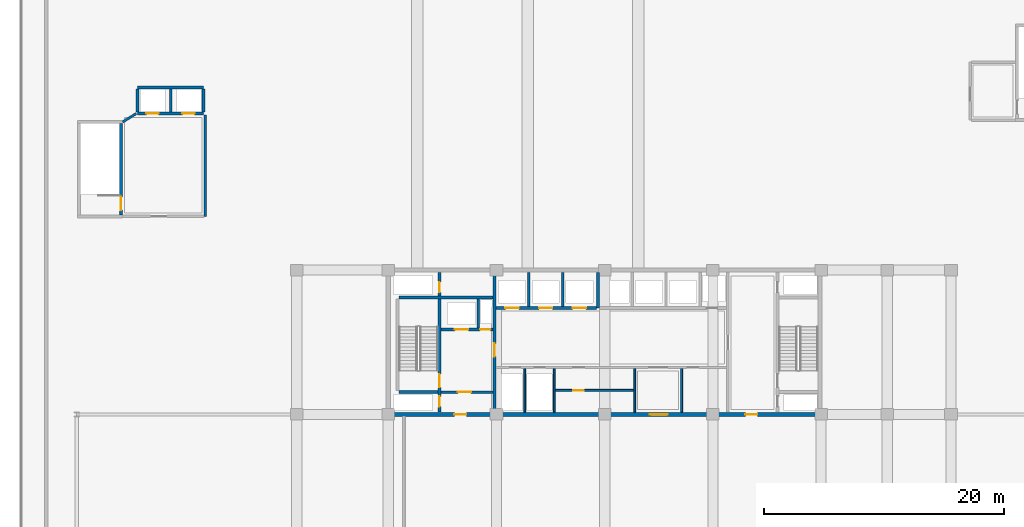
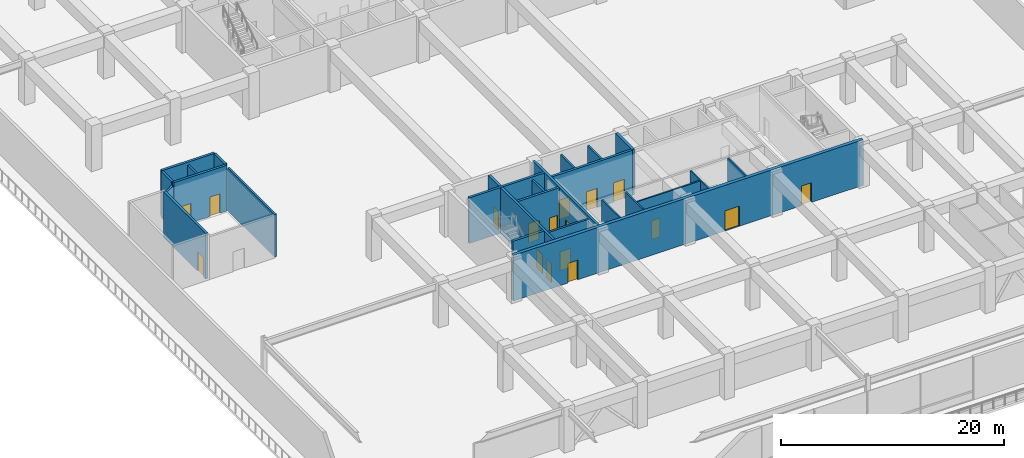
# One storey, part 24 of 38: 25 walls, 17 doors, 17 openings.
"""IFC4 building model written with IfcOpenShell, lengths in metres."""

from ifc_helpers import new_model, si_unit, direction, frame, frame_2d, origin, place, context, subcontext, project, spatial, rectangle, extrude, material, layer, layer_set, type_object, element, fill, save


model = new_model("IFC4")

# Units and contexts
model_context = context("Model", 3, precision=1e-05, world=origin(), true_north=direction((0.0, 1.0)))
body_context = subcontext(model_context, "Body", "Model", "MODEL_VIEW")
ifc_project = project(units=[si_unit("LENGTHUNIT", "METRE"), si_unit("AREAUNIT", "SQUARE_METRE"), si_unit("VOLUMEUNIT", "CUBIC_METRE"), si_unit("PLANEANGLEUNIT", "RADIAN"), si_unit("MASSUNIT", "GRAM", prefix="KILO")], contexts=[model_context])

# Site, building, storey
site_placement = place(None, origin())
site = spatial("IfcSite", under=ifc_project, at=site_placement, CompositionType="ELEMENT")
building_placement = place(site_placement, origin())
building = spatial("IfcBuilding", under=site, at=building_placement, Name="Korimba Cascade Residences", CompositionType="ELEMENT")
storey_placement = place(building_placement, frame((0.0, 0.0, 19.0)))
storey = spatial("IfcBuildingStorey", under=building, at=storey_placement, Name="L04", CompositionType="ELEMENT", Elevation=19.0)

# Wall, openings, doors
ifc_material_1 = material(Name="Concrete C65/80", Category="concrete")
ifc_layer_1 = layer(ifc_material_1, 0.35009765625)
ifc_layer_set_1 = layer_set([ifc_layer_1], Name="Concrete C65/80")
wall_type_1 = type_object("IfcWallType", Name="WAL-CORE-350", PredefinedType="SHEAR", material=ifc_layer_set_1)
wall_1_placement = place(storey_placement, frame((81.925048828125, 18.39990234375, 0.0), z_axis=(0.0, 0.0, 1.0), x_axis=(1.0, 0.0, 0.0)))
wall_1 = element("IfcWall", 1, at=wall_1_placement, inside=storey, type_object=wall_type_1, Name="L04 Core Shear Wall CW-L04-T2-S", PredefinedType="SHEAR", context=body_context, shape_type="SweptSolid", body=[
    extrude(rectangle(XDim=36.264892578125, YDim=0.35009765625, at=frame_2d((18.13232421875, 0.0))), origin(), (0.0, 0.0, 1.0), 5.0),
])
opening_1_placement = place(wall_1_placement, frame((5.675048828125, 0.0, 0.0)))
opening_1 = element("IfcOpeningElement", 2, at=opening_1_placement, cuts=wall_1, Name="Opening D-FD5", PredefinedType="OPENING", context=body_context, shape_type="SweptSolid", body=[
    extrude(rectangle(XDim=1.0, YDim=2.14990234375, at=frame_2d((0.5, 1.074951171875))), frame((0.0, 0.18505859375, 0.0), z_axis=(0.0, -1.0, 0.0), x_axis=(1.0, 0.0, 0.0)), (0.0, 0.0, 1.0), 0.3701171875),
])
opening_2_placement = place(wall_1_placement, frame((21.925048828125, 0.0, 0.0)))
opening_2 = element("IfcOpeningElement", 3, at=opening_2_placement, cuts=wall_1, Name="Opening D-FD8", PredefinedType="OPENING", context=body_context, shape_type="SweptSolid", body=[
    extrude(rectangle(XDim=1.5, YDim=2.199951171875, at=frame_2d((0.75, 1.10009765625))), frame((0.0, 0.18505859375, 0.0), z_axis=(0.0, -1.0, 0.0), x_axis=(1.0, 0.0, 0.0)), (0.0, 0.0, 1.0), 0.3701171875),
])
opening_3_placement = place(wall_1_placement, frame((29.875, 0.0, 0.0)))
opening_3 = element("IfcOpeningElement", 4, at=opening_3_placement, cuts=wall_1, Name="Opening D-FD5", PredefinedType="OPENING", context=body_context, shape_type="SweptSolid", body=[
    extrude(rectangle(XDim=1.0, YDim=2.14990234375, at=frame_2d((0.5, 1.074951171875))), frame((0.0, 0.18505859375, 0.0), z_axis=(0.0, -1.0, 0.0), x_axis=(1.0, 0.0, 0.0)), (0.0, 0.0, 1.0), 0.3701171875),
])
ifc_material_2 = material(Name="Fire-Rated Acoustic Timber Vestibule Door", Category="wood")
door_type_1 = type_object("IfcDoorType", Name="DR-FD90-1000", OperationType="NOTDEFINED", PredefinedType="DOOR", material=ifc_material_2)
door_1_placement = place(opening_1_placement, origin())
door_1 = element("IfcDoor", 5, at=door_1_placement, inside=storey, type_object=door_type_1, Name="L04 T2 West Core Vestibule Fire Door", OperationType="SINGLE_SWING_LEFT", OverallHeight=2.14990234375, OverallWidth=1.0, PredefinedType="DOOR", context=body_context, shape_type="SweptSolid", body=[
    extrude(rectangle(XDim=1.0, YDim=2.14990234375, at=frame_2d((0.5, 1.074951171875))), frame((0.0, 0.02490234375, 0.0), z_axis=(0.0, -1.0, 0.0), x_axis=(1.0, 0.0, 0.0)), (0.0, 0.0, 1.0), 0.050048828125),
])
fill(opening_1, door_1)
door_2_placement = place(opening_3_placement, origin())
door_2 = element("IfcDoor", 6, at=door_2_placement, inside=storey, type_object=door_type_1, Name="L04 T2 East Stair Vestibule Fire Door", OperationType="SINGLE_SWING_RIGHT", OverallHeight=2.14990234375, OverallWidth=1.0, PredefinedType="DOOR", context=body_context, shape_type="SweptSolid", body=[
    extrude(rectangle(XDim=1.0, YDim=2.14990234375, at=frame_2d((0.5, 1.074951171875))), frame((0.0, 0.02490234375, 0.0), z_axis=(0.0, -1.0, 0.0), x_axis=(1.0, 0.0, 0.0)), (0.0, 0.0, 1.0), 0.050048828125),
])
fill(opening_3, door_2)
ifc_material_3 = material(Name="Fire-Rated Glazed Lift Lobby Double Door", Category="glass")
door_type_2 = type_object("IfcDoorType", Name="DR-FD90-1500", OperationType="NOTDEFINED", PredefinedType="DOOR", material=ifc_material_3)
door_3_placement = place(opening_2_placement, origin())
door_3 = element("IfcDoor", 7, at=door_3_placement, inside=storey, type_object=door_type_2, Name="L04 T2 Lift Lobby Fire Door", OperationType="DOUBLE_DOOR_SINGLE_SWING", OverallHeight=2.199951171875, OverallWidth=1.5, PredefinedType="DOOR", context=body_context, shape_type="SweptSolid", body=[
    extrude(rectangle(XDim=1.5, YDim=2.199951171875, at=frame_2d((0.75, 1.10009765625))), frame((0.0, 0.02490234375, 0.0), z_axis=(0.0, -1.0, 0.0), x_axis=(1.0, 0.0, 0.0)), (0.0, 0.0, 1.0), 0.050048828125),
])
fill(opening_2, door_3)

# Walls
ifc_material_4 = material(Name="Insulated Acoustic Stud Partition", Category="gypsum")
ifc_layer_2 = layer(ifc_material_4, 0.14990234375)
ifc_layer_set_2 = layer_set([ifc_layer_2], Name="Insulated Acoustic Stud Partition")
wall_type_2 = type_object("IfcWallType", Name="WAL-PART-150", PredefinedType="PARTITIONING", material=ifc_layer_set_2)
for number, where, z_axis, x_axis, name in (
    (8, (93.449951171875, 18.60009765625, 0.0), (0.0, 0.0, 1.0), (0.0, 1.0, 0.0), "L04 Partition Wall CW-L04-T2-ERDIV"),
    (9, (95.89990234375, 18.60009765625, 0.0), (0.0, 0.0, 1.0), (0.0, 1.0, 0.0), "L04 Partition Wall CW-L04-T2-PRDIV"),
):
    element("IfcWall", number, at=place(storey_placement, frame(where, z_axis=z_axis, x_axis=x_axis)), inside=storey, type_object=wall_type_2, Name=name, PredefinedType="PARTITIONING", context=body_context, shape_type="SweptSolid", body=[
        extrude(rectangle(XDim=3.599853515625, YDim=0.14990234375, at=frame_2d((1.7998046875, 0.0))), origin(), (0.0, 0.0, 1.0), 4.679931640625),
    ])

# Wall, opening, door
wall_2_placement = place(storey_placement, frame((95.89990234375, 20.39990234375, 0.0), z_axis=(0.0, 0.0, 1.0), x_axis=(1.0, 0.0, 0.0)))
wall_2 = element("IfcWall", 10, at=wall_2_placement, inside=storey, type_object=wall_type_2, Name="L04 Partition Wall CW-L04-T2-CA2HZ", PredefinedType="PARTITIONING", context=body_context, shape_type="SweptSolid", body=[
    extrude(rectangle(XDim=6.7001953125, YDim=0.14990234375, at=frame_2d((3.35009765625, 0.0))), origin(), (0.0, 0.0, 1.0), 4.679931640625),
])
opening_4_placement = place(wall_2_placement, frame((1.60009765625, 0.0, 0.0)))
opening_4 = element("IfcOpeningElement", 11, at=opening_4_placement, cuts=wall_2, Name="Opening D-IN2", PredefinedType="OPENING", context=body_context, shape_type="SweptSolid", body=[
    extrude(rectangle(XDim=0.8798828125, YDim=2.06005859375, at=frame_2d((0.43994140625, 1.030029296875))), frame((0.0, 0.0849609375, 0.0), z_axis=(0.0, -1.0, 0.0), x_axis=(1.0, 0.0, 0.0)), (0.0, 0.0, 1.0), 0.169921875),
])
ifc_material_5 = material(Name="Acoustic Timber Bedroom Door", Category="wood")
door_type_3 = type_object("IfcDoorType", Name="DR-INT-880", OperationType="NOTDEFINED", PredefinedType="DOOR", material=ifc_material_5)
door_4_placement = place(opening_4_placement, origin())
door_4 = element("IfcDoor", 12, at=door_4_placement, inside=storey, type_object=door_type_3, Name="L04 T2 Pram Store Door", OperationType="SINGLE_SWING_RIGHT", OverallHeight=2.06005859375, OverallWidth=0.8798828125, PredefinedType="DOOR", context=body_context, shape_type="SweptSolid", body=[
    extrude(rectangle(XDim=0.8798828125, YDim=2.06005859375, at=frame_2d((0.43994140625, 1.030029296875))), frame((0.0, 0.02490234375, 0.0), z_axis=(0.0, -1.0, 0.0), x_axis=(1.0, 0.0, 0.0)), (0.0, 0.0, 1.0), 0.050048828125),
])
fill(opening_4, door_4)

# Walls
for number, where, z_axis, x_axis, name in (
    (13, (102.60009765625, 18.60009765625, 0.0), (0.0, 0.0, 1.0), (0.0, 1.0, 0.0), "L04 Partition Wall CW-L04-T2-THW"),
    (14, (106.5, 18.60009765625, 0.0), (0.0, 0.0, 1.0), (0.0, 1.0, 0.0), "L04 Partition Wall CW-L04-T2-THE"),
):
    element("IfcWall", number, at=place(storey_placement, frame(where, z_axis=z_axis, x_axis=x_axis)), inside=storey, type_object=wall_type_2, Name=name, PredefinedType="PARTITIONING", context=body_context, shape_type="SweptSolid", body=[
        extrude(rectangle(XDim=3.599853515625, YDim=0.14990234375, at=frame_2d((1.7998046875, 0.0))), origin(), (0.0, 0.0, 1.0), 4.679931640625),
    ])
ifc_material_6 = material(Name="Concrete C40/50", Category="concrete")
ifc_layer_3 = layer(ifc_material_6, 0.199951171875)
ifc_layer_set_3 = layer_set([ifc_layer_3], Name="Concrete C40/50")
wall_type_3 = type_object("IfcWallType", Name="WAL-PART-200", PredefinedType="PARTITIONING", material=ifc_layer_set_3)
wall_3_placement = place(storey_placement, frame((89.60009765625, 25.580078125, 0.0), z_axis=(0.0, 0.0, 1.0), x_axis=(0.0, 1.0, 0.0)))
element("IfcWall", 15, at=wall_3_placement, inside=storey, type_object=wall_type_3, Name="L04 Partition Wall CW-L04-T2-FFLDIV", PredefinedType="PARTITIONING", context=body_context, shape_type="SweptSolid", body=[
    extrude(rectangle(XDim=2.419921875, YDim=0.199951171875, at=frame_2d((1.2099609375, 0.0))), origin(), (0.0, 0.0, 1.0), 4.679931640625),
])

# Wall, opening, door
wall_4_placement = place(storey_placement, frame((86.5, 20.25, 0.0), z_axis=(0.0, 0.0, 1.0), x_axis=(1.0, 0.0, 0.0)))
wall_4 = element("IfcWall", 16, at=wall_4_placement, inside=storey, type_object=wall_type_3, Name="L04 Partition Wall CW-L04-T2-FFLS", PredefinedType="PARTITIONING", context=body_context, shape_type="SweptSolid", body=[
    extrude(rectangle(XDim=4.320068359375, YDim=0.199951171875, at=frame_2d((2.16015625, 0.0))), origin(), (0.0, 0.0, 1.0), 4.679931640625),
])
opening_5_placement = place(wall_4_placement, frame((1.39990234375, 0.0, 0.0)))
opening_5 = element("IfcOpeningElement", 17, at=opening_5_placement, cuts=wall_4, Name="Opening D-FD1", PredefinedType="OPENING", context=body_context, shape_type="SweptSolid", body=[
    extrude(rectangle(XDim=1.10009765625, YDim=2.10009765625, at=frame_2d((0.550048828125, 1.050048828125))), frame((0.0, 0.10986328125, 0.0), z_axis=(0.0, -1.0, 0.0), x_axis=(1.0, 0.0, 0.0)), (0.0, 0.0, 1.0), 0.219970703125),
])
ifc_material_7 = material(Name="Fire-Rated Steel Core Door", Category="steel")
door_type_4 = type_object("IfcDoorType", Name="DR-FD120-1100", OperationType="NOTDEFINED", PredefinedType="DOOR", material=ifc_material_7)
door_5_placement = place(opening_5_placement, origin())
door_5 = element("IfcDoor", 18, at=door_5_placement, inside=storey, type_object=door_type_4, Name="L04 T2 Firefighting Lobby Door", OperationType="SINGLE_SWING_LEFT", OverallHeight=2.10009765625, OverallWidth=1.10009765625, PredefinedType="DOOR", context=body_context, shape_type="SweptSolid", body=[
    extrude(rectangle(XDim=1.10009765625, YDim=2.10009765625, at=frame_2d((0.550048828125, 1.050048828125))), frame((0.0, 0.02490234375, 0.0), z_axis=(0.0, -1.0, 0.0), x_axis=(1.0, 0.0, 0.0)), (0.0, 0.0, 1.0), 0.050048828125),
])
fill(opening_5, door_5)

# Walls
for number, where, z_axis, x_axis, name in (
    (19, (93.800048828125, 27.3798828125, 0.0), (0.0, 0.0, 1.0), (0.0, 1.0, 0.0), "L04 Partition Wall CW-L04-T2-B1D1"),
    (20, (96.60009765625, 27.3798828125, 0.0), (0.0, 0.0, 1.0), (0.0, 1.0, 0.0), "L04 Partition Wall CW-L04-T2-B1D2"),
):
    element("IfcWall", number, at=place(storey_placement, frame(where, z_axis=z_axis, x_axis=x_axis)), inside=storey, type_object=wall_type_3, Name=name, PredefinedType="PARTITIONING", context=body_context, shape_type="SweptSolid", body=[
        extrude(rectangle(XDim=2.820068359375, YDim=0.199951171875, at=frame_2d((1.41015625, 0.0))), origin(), (0.0, 0.0, 1.0), 4.679931640625),
    ])
wall_5_placement = place(storey_placement, frame((64.0, 43.550048828125, 0.0), z_axis=(0.0, 0.0, 1.0), x_axis=(0.0, 1.0, 0.0)))
element("IfcWall", 21, at=wall_5_placement, inside=storey, type_object=wall_type_3, Name="L04 Partition Wall CW-L04-SHPM", PredefinedType="PARTITIONING", context=body_context, shape_type="SweptSolid", body=[
    extrude(rectangle(XDim=1.89990234375, YDim=0.199951171875, at=frame_2d((0.949951171875, 0.0))), origin(), (0.0, 0.0, 1.0), 4.679931640625),
])
wall_6_placement = place(storey_placement, frame((66.89990234375, 34.875, 0.0), z_axis=(0.0, 0.0, 1.0), x_axis=(0.0, 1.0, 0.0)))
element("IfcWall", 22, at=wall_6_placement, inside=storey, type_object=wall_type_3, Name="L04 Partition Wall CW-L04-PLOBE", PredefinedType="PARTITIONING", context=body_context, shape_type="SweptSolid", body=[
    extrude(rectangle(XDim=8.425048828125, YDim=0.199951171875, at=frame_2d((4.21240234375, 0.0))), origin(), (0.0, 0.0, 1.0), 4.679931640625),
])
wall_7_placement = place(storey_placement, frame((60.02001953125, 42.72509765625, 0.0), z_axis=(0.0, 0.0, 1.0), x_axis=(0.851822584555, 0.523830396638, 0.0)))
element("IfcWall", 23, at=wall_7_placement, inside=storey, type_object=wall_type_3, Name="L04 Partition Wall CW-L04-PLOBN", PredefinedType="PARTITIONING", context=body_context, shape_type="SweptSolid", body=[
    extrude(rectangle(XDim=1.326416015625, YDim=0.199951171875, at=frame_2d((0.6630859375, 0.0))), origin(), (0.0, 0.0, 1.0), 4.679931640625),
])

# Wall, openings, doors
ifc_material_8 = material(Name="Concrete C50/60", Category="concrete")
ifc_layer_4 = layer(ifc_material_8, 0.25)
ifc_layer_set_4 = layer_set([ifc_layer_4], Name="Concrete C50/60")
wall_type_4 = type_object("IfcWallType", Name="WAL-SHAFT-250", PredefinedType="SHEAR", material=ifc_layer_set_4)
wall_8_placement = place(storey_placement, frame((86.364990234375, 18.60009765625, 0.0), z_axis=(0.0, 0.0, 1.0), x_axis=(0.0, 1.0, 0.0)))
wall_8 = element("IfcWall", 24, at=wall_8_placement, inside=storey, type_object=wall_type_4, Name="L04 Core Shear Wall CW-L04-T2-STE1E", PredefinedType="SHEAR", context=body_context, shape_type="SweptSolid", body=[
    extrude(rectangle(XDim=11.599853515625, YDim=0.25, at=frame_2d((5.7998046875, 0.0))), origin(), (0.0, 0.0, 1.0), 5.0),
])
opening_6_placement = place(wall_8_placement, frame((0.449951171875, 0.0, 0.0)))
opening_6 = element("IfcOpeningElement", 25, at=opening_6_placement, cuts=wall_8, Name="Opening D-RS1", PredefinedType="OPENING", context=body_context, shape_type="SweptSolid", body=[
    extrude(rectangle(XDim=0.85009765625, YDim=2.050048828125, at=frame_2d((0.425048828125, 1.02490234375))), frame((0.0, 0.135009765625, 0.0), z_axis=(0.0, -1.0, 0.0), x_axis=(1.0, 0.0, 0.0)), (0.0, 0.0, 1.0), 0.27001953125),
])
opening_7_placement = place(wall_8_placement, frame((2.050048828125, 0.0, 0.0)))
opening_7 = element("IfcOpeningElement", 26, at=opening_7_placement, cuts=wall_8, Name="Opening D-FD1", PredefinedType="OPENING", context=body_context, shape_type="SweptSolid", body=[
    extrude(rectangle(XDim=1.10009765625, YDim=2.10009765625, at=frame_2d((0.550048828125, 1.050048828125))), frame((0.0, 0.135009765625, 0.0), z_axis=(0.0, -1.0, 0.0), x_axis=(1.0, 0.0, 0.0)), (0.0, 0.0, 1.0), 0.27001953125),
])
opening_8_placement = place(wall_8_placement, frame((9.949951171875, 0.0, 0.0)))
opening_8 = element("IfcOpeningElement", 27, at=opening_8_placement, cuts=wall_8, Name="Opening D-RS1", PredefinedType="OPENING", context=body_context, shape_type="SweptSolid", body=[
    extrude(rectangle(XDim=0.85009765625, YDim=2.050048828125, at=frame_2d((0.425048828125, 1.02490234375))), frame((0.0, 0.135009765625, 0.0), z_axis=(0.0, -1.0, 0.0), x_axis=(1.0, 0.0, 0.0)), (0.0, 0.0, 1.0), 0.27001953125),
])
door_6_placement = place(opening_7_placement, origin())
door_6 = element("IfcDoor", 28, at=door_6_placement, inside=storey, type_object=door_type_4, Name="L04 Fire Stair ST-E1 Door", OperationType="SINGLE_SWING_RIGHT", OverallHeight=2.10009765625, OverallWidth=1.10009765625, PredefinedType="DOOR", context=body_context, shape_type="SweptSolid", body=[
    extrude(rectangle(XDim=1.10009765625, YDim=2.10009765625, at=frame_2d((0.550048828125, 1.050048828125))), frame((0.0, 0.02490234375, 0.0), z_axis=(0.0, -1.0, 0.0), x_axis=(1.0, 0.0, 0.0)), (0.0, 0.0, 1.0), 0.050048828125),
])
fill(opening_7, door_6)
ifc_material_9 = material(Name="Fire-Rated Steel Riser Access Door", Category="steel")
door_type_5 = type_object("IfcDoorType", Name="DR-FD60-850", OperationType="NOTDEFINED", PredefinedType="DOOR", material=ifc_material_9)
door_7_placement = place(opening_6_placement, origin())
door_7 = element("IfcDoor", 29, at=door_7_placement, inside=storey, type_object=door_type_5, Name="L04 T2 Hydrant Riser Door", OperationType="SINGLE_SWING_LEFT", OverallHeight=2.050048828125, OverallWidth=0.85009765625, PredefinedType="DOOR", context=body_context, shape_type="SweptSolid", body=[
    extrude(rectangle(XDim=0.85009765625, YDim=2.050048828125, at=frame_2d((0.425048828125, 1.02490234375))), frame((0.0, 0.02490234375, 0.0), z_axis=(0.0, -1.0, 0.0), x_axis=(1.0, 0.0, 0.0)), (0.0, 0.0, 1.0), 0.050048828125),
])
fill(opening_6, door_7)
door_8_placement = place(opening_8_placement, origin())
door_8 = element("IfcDoor", 30, at=door_8_placement, inside=storey, type_object=door_type_5, Name="L04 T2 Smoke Shaft Door", OperationType="SINGLE_SWING_LEFT", OverallHeight=2.050048828125, OverallWidth=0.85009765625, PredefinedType="DOOR", context=body_context, shape_type="SweptSolid", body=[
    extrude(rectangle(XDim=0.85009765625, YDim=2.050048828125, at=frame_2d((0.425048828125, 1.02490234375))), frame((0.0, 0.02490234375, 0.0), z_axis=(0.0, -1.0, 0.0), x_axis=(1.0, 0.0, 0.0)), (0.0, 0.0, 1.0), 0.050048828125),
])
fill(opening_8, door_8)

# Walls
wall_9_placement = place(storey_placement, frame((83.0, 20.27490234375, 0.0), z_axis=(0.0, 0.0, 1.0), x_axis=(1.0, 0.0, 0.0)))
element("IfcWall", 31, at=wall_9_placement, inside=storey, type_object=wall_type_4, Name="L04 Core Shear Wall CW-L04-T2-STE1S", PredefinedType="SHEAR", context=body_context, shape_type="SweptSolid", body=[
    extrude(rectangle(XDim=3.239990234375, YDim=0.25, at=frame_2d((1.6201171875, 0.0))), origin(), (0.0, 0.0, 1.0), 5.0),
])
wall_10_placement = place(storey_placement, frame((83.0, 28.125, 0.0), z_axis=(0.0, 0.0, 1.0), x_axis=(1.0, 0.0, 0.0)))
element("IfcWall", 32, at=wall_10_placement, inside=storey, type_object=wall_type_4, Name="L04 Core Shear Wall CW-L04-T2-STE1N", PredefinedType="SHEAR", context=body_context, shape_type="SweptSolid", body=[
    extrude(rectangle(XDim=7.820068359375, YDim=0.25, at=frame_2d((3.91015625, 0.0))), origin(), (0.0, 0.0, 1.0), 5.0),
])

# Wall, openings, doors
wall_11_placement = place(storey_placement, frame((86.5, 25.449951171875, 0.0), z_axis=(0.0, 0.0, 1.0), x_axis=(1.0, 0.0, 0.0)))
wall_11 = element("IfcWall", 33, at=wall_11_placement, inside=storey, type_object=wall_type_4, Name="L04 Core Shear Wall CW-L04-T2-FFLN", PredefinedType="SHEAR", context=body_context, shape_type="SweptSolid", body=[
    extrude(rectangle(XDim=4.320068359375, YDim=0.25, at=frame_2d((2.16015625, 0.0))), origin(), (0.0, 0.0, 1.0), 5.0),
])
opening_9_placement = place(wall_11_placement, frame((1.139892578125, 0.0, 0.0)))
opening_9 = element("IfcOpeningElement", 34, at=opening_9_placement, cuts=wall_11, Name="Opening LD-01", PredefinedType="OPENING", context=body_context, shape_type="SweptSolid", body=[
    extrude(rectangle(XDim=1.1201171875, YDim=2.1201171875, at=frame_2d((0.56005859375, 1.06005859375))), frame((0.0, 0.135009765625, 0.0), z_axis=(0.0, -1.0, 0.0), x_axis=(1.0, 0.0, 0.0)), (0.0, 0.0, 1.0), 0.27001953125),
])
opening_10_placement = place(wall_11_placement, frame((3.25, 0.0, 0.0)))
opening_10 = element("IfcOpeningElement", 35, at=opening_10_placement, cuts=wall_11, Name="Opening D-RS1", PredefinedType="OPENING", context=body_context, shape_type="SweptSolid", body=[
    extrude(rectangle(XDim=0.85009765625, YDim=2.050048828125, at=frame_2d((0.425048828125, 1.02490234375))), frame((0.0, 0.135009765625, 0.0), z_axis=(0.0, -1.0, 0.0), x_axis=(1.0, 0.0, 0.0)), (0.0, 0.0, 1.0), 0.27001953125),
])
door_9_placement = place(opening_10_placement, origin())
door_9 = element("IfcDoor", 36, at=door_9_placement, inside=storey, type_object=door_type_5, Name="L04 T2 Pressurisation Riser Door", OperationType="SINGLE_SWING_RIGHT", OverallHeight=2.050048828125, OverallWidth=0.85009765625, PredefinedType="DOOR", context=body_context, shape_type="SweptSolid", body=[
    extrude(rectangle(XDim=0.85009765625, YDim=2.050048828125, at=frame_2d((0.425048828125, 1.02490234375))), frame((0.0, 0.02490234375, 0.0), z_axis=(0.0, -1.0, 0.0), x_axis=(1.0, 0.0, 0.0)), (0.0, 0.0, 1.0), 0.050048828125),
])
fill(opening_10, door_9)
ifc_material_10 = material(Name="Stainless Steel Lift Landing Sliding Door", Category="steel")
door_type_6 = type_object("IfcDoorType", Name="DR-LIFT-1100", OperationType="NOTDEFINED", PredefinedType="DOOR", material=ifc_material_10)
door_10_placement = place(opening_9_placement, origin())
door_10 = element("IfcDoor", 37, at=door_10_placement, inside=storey, type_object=door_type_6, Name="L04 Firefighting Lift Landing Door FFL-E1", OperationType="SLIDING_TO_RIGHT", OverallHeight=2.1201171875, OverallWidth=1.1201171875, PredefinedType="DOOR", context=body_context, shape_type="SweptSolid", body=[
    extrude(rectangle(XDim=1.1201171875, YDim=2.1201171875, at=frame_2d((0.56005859375, 1.06005859375))), frame((0.0, 0.02490234375, 0.0), z_axis=(0.0, -1.0, 0.0), x_axis=(1.0, 0.0, 0.0)), (0.0, 0.0, 1.0), 0.050048828125),
])
fill(opening_9, door_10)

# Wall, opening, door
wall_12_placement = place(storey_placement, frame((90.949951171875, 18.60009765625, 0.0), z_axis=(0.0, 0.0, 1.0), x_axis=(0.0, 1.0, 0.0)))
wall_12 = element("IfcWall", 38, at=wall_12_placement, inside=storey, type_object=wall_type_4, Name="L04 Core Shear Wall CW-L04-T2-FFLE", PredefinedType="SHEAR", context=body_context, shape_type="SweptSolid", body=[
    extrude(rectangle(XDim=11.599853515625, YDim=0.25, at=frame_2d((5.7998046875, 0.0))), origin(), (0.0, 0.0, 1.0), 5.0),
])
opening_11_placement = place(wall_12_placement, frame((4.60009765625, 0.0, 0.0)))
opening_11 = element("IfcOpeningElement", 39, at=opening_11_placement, cuts=wall_12, Name="Opening D-FD1", PredefinedType="OPENING", context=body_context, shape_type="SweptSolid", body=[
    extrude(rectangle(XDim=1.10009765625, YDim=2.10009765625, at=frame_2d((0.550048828125, 1.050048828125))), frame((0.0, 0.135009765625, 0.0), z_axis=(0.0, -1.0, 0.0), x_axis=(1.0, 0.0, 0.0)), (0.0, 0.0, 1.0), 0.27001953125),
])
door_11_placement = place(opening_11_placement, origin())
door_11 = element("IfcDoor", 40, at=door_11_placement, inside=storey, type_object=door_type_4, Name="L04 T2 Firefighting Lobby to Lift Lobby Door", OperationType="SINGLE_SWING_RIGHT", OverallHeight=2.10009765625, OverallWidth=1.10009765625, PredefinedType="DOOR", context=body_context, shape_type="SweptSolid", body=[
    extrude(rectangle(XDim=1.10009765625, YDim=2.10009765625, at=frame_2d((0.550048828125, 1.050048828125))), frame((0.0, 0.02490234375, 0.0), z_axis=(0.0, -1.0, 0.0), x_axis=(1.0, 0.0, 0.0)), (0.0, 0.0, 1.0), 0.050048828125),
])
fill(opening_11, door_11)

# Wall, openings, doors
wall_13_placement = place(storey_placement, frame((91.080078125, 27.25, 0.0), z_axis=(0.0, 0.0, 1.0), x_axis=(1.0, 0.0, 0.0)))
wall_13 = element("IfcWall", 41, at=wall_13_placement, inside=storey, type_object=wall_type_4, Name="L04 Core Shear Wall CW-L04-T2-B1S", PredefinedType="SHEAR", context=body_context, shape_type="SweptSolid", body=[
    extrude(rectangle(XDim=8.33984375, YDim=0.25, at=frame_2d((4.169921875, 0.0))), origin(), (0.0, 0.0, 1.0), 5.0),
])
opening_12_placement = place(wall_13_placement, frame((0.760009765625, 0.0, 0.0)))
opening_12 = element("IfcOpeningElement", 42, at=opening_12_placement, cuts=wall_13, Name="Opening LD-01", PredefinedType="OPENING", context=body_context, shape_type="SweptSolid", body=[
    extrude(rectangle(XDim=1.1201171875, YDim=2.1201171875, at=frame_2d((0.56005859375, 1.06005859375))), frame((0.0, 0.135009765625, 0.0), z_axis=(0.0, -1.0, 0.0), x_axis=(1.0, 0.0, 0.0)), (0.0, 0.0, 1.0), 0.27001953125),
])
opening_13_placement = place(wall_13_placement, frame((3.56005859375, 0.0, 0.0)))
opening_13 = element("IfcOpeningElement", 43, at=opening_13_placement, cuts=wall_13, Name="Opening LD-01", PredefinedType="OPENING", context=body_context, shape_type="SweptSolid", body=[
    extrude(rectangle(XDim=1.1201171875, YDim=2.1201171875, at=frame_2d((0.56005859375, 1.06005859375))), frame((0.0, 0.135009765625, 0.0), z_axis=(0.0, -1.0, 0.0), x_axis=(1.0, 0.0, 0.0)), (0.0, 0.0, 1.0), 0.27001953125),
])
opening_14_placement = place(wall_13_placement, frame((6.360107421875, 0.0, 0.0)))
opening_14 = element("IfcOpeningElement", 44, at=opening_14_placement, cuts=wall_13, Name="Opening LD-01", PredefinedType="OPENING", context=body_context, shape_type="SweptSolid", body=[
    extrude(rectangle(XDim=1.1201171875, YDim=2.1201171875, at=frame_2d((0.56005859375, 1.06005859375))), frame((0.0, 0.135009765625, 0.0), z_axis=(0.0, -1.0, 0.0), x_axis=(1.0, 0.0, 0.0)), (0.0, 0.0, 1.0), 0.27001953125),
])
door_12_placement = place(opening_12_placement, origin())
door_12 = element("IfcDoor", 45, at=door_12_placement, inside=storey, type_object=door_type_6, Name="L04 Lift Landing Door PL-E1", OperationType="SLIDING_TO_LEFT", OverallHeight=2.1201171875, OverallWidth=1.1201171875, PredefinedType="DOOR", context=body_context, shape_type="SweptSolid", body=[
    extrude(rectangle(XDim=1.1201171875, YDim=2.1201171875, at=frame_2d((0.56005859375, 1.06005859375))), frame((0.0, 0.02490234375, 0.0), z_axis=(0.0, -1.0, 0.0), x_axis=(1.0, 0.0, 0.0)), (0.0, 0.0, 1.0), 0.050048828125),
])
fill(opening_12, door_12)
door_13_placement = place(opening_13_placement, origin())
door_13 = element("IfcDoor", 46, at=door_13_placement, inside=storey, type_object=door_type_6, Name="L04 Lift Landing Door PL-E2", OperationType="SLIDING_TO_LEFT", OverallHeight=2.1201171875, OverallWidth=1.1201171875, PredefinedType="DOOR", context=body_context, shape_type="SweptSolid", body=[
    extrude(rectangle(XDim=1.1201171875, YDim=2.1201171875, at=frame_2d((0.56005859375, 1.06005859375))), frame((0.0, 0.02490234375, 0.0), z_axis=(0.0, -1.0, 0.0), x_axis=(1.0, 0.0, 0.0)), (0.0, 0.0, 1.0), 0.050048828125),
])
fill(opening_13, door_13)
door_14_placement = place(opening_14_placement, origin())
door_14 = element("IfcDoor", 47, at=door_14_placement, inside=storey, type_object=door_type_6, Name="L04 Lift Landing Door PL-E3", OperationType="SLIDING_TO_LEFT", OverallHeight=2.1201171875, OverallWidth=1.1201171875, PredefinedType="DOOR", context=body_context, shape_type="SweptSolid", body=[
    extrude(rectangle(XDim=1.1201171875, YDim=2.1201171875, at=frame_2d((0.56005859375, 1.06005859375))), frame((0.0, 0.02490234375, 0.0), z_axis=(0.0, -1.0, 0.0), x_axis=(1.0, 0.0, 0.0)), (0.0, 0.0, 1.0), 0.050048828125),
])
fill(opening_14, door_14)

# Wall
wall_14_placement = place(storey_placement, frame((99.550048828125, 27.25, 0.0), z_axis=(0.0, 0.0, 1.0), x_axis=(0.0, 1.0, 0.0)))
element("IfcWall", 48, at=wall_14_placement, inside=storey, type_object=wall_type_4, Name="L04 Core Shear Wall CW-L04-T2-B12DIV", PredefinedType="SHEAR", context=body_context, shape_type="SweptSolid", body=[
    extrude(rectangle(XDim=2.949951171875, YDim=0.25, at=frame_2d((1.47509765625, 0.0))), origin(), (0.0, 0.0, 1.0), 5.0),
])

# Wall, opening, door
wall_15_placement = place(storey_placement, frame((59.864990234375, 35.0, 0.0), z_axis=(0.0, 0.0, 1.0), x_axis=(0.0, 1.0, 0.0)))
wall_15 = element("IfcWall", 49, at=wall_15_placement, inside=storey, type_object=wall_type_4, Name="L04 Core Shear Wall CW-L04-STP1E", PredefinedType="SHEAR", context=body_context, shape_type="SweptSolid", body=[
    extrude(rectangle(XDim=7.60009765625, YDim=0.25, at=frame_2d((3.800048828125, 0.0))), origin(), (0.0, 0.0, 1.0), 5.0),
])
opening_15_placement = place(wall_15_placement, frame((0.39990234375, 0.0, 0.0)))
opening_15 = element("IfcOpeningElement", 50, at=opening_15_placement, cuts=wall_15, Name="Opening D-FD1", PredefinedType="OPENING", context=body_context, shape_type="SweptSolid", body=[
    extrude(rectangle(XDim=1.10009765625, YDim=2.10009765625, at=frame_2d((0.550048828125, 1.050048828125))), frame((0.0, 0.135009765625, 0.0), z_axis=(0.0, -1.0, 0.0), x_axis=(1.0, 0.0, 0.0)), (0.0, 0.0, 1.0), 0.27001953125),
])
door_15_placement = place(opening_15_placement, origin())
door_15 = element("IfcDoor", 51, at=door_15_placement, inside=storey, type_object=door_type_4, Name="L04 Podium Stair ST-P1 Door", OperationType="SINGLE_SWING_LEFT", OverallHeight=2.10009765625, OverallWidth=1.10009765625, PredefinedType="DOOR", context=body_context, shape_type="SweptSolid", body=[
    extrude(rectangle(XDim=1.10009765625, YDim=2.10009765625, at=frame_2d((0.550048828125, 1.050048828125))), frame((0.0, 0.02490234375, 0.0), z_axis=(0.0, -1.0, 0.0), x_axis=(1.0, 0.0, 0.0)), (0.0, 0.0, 1.0), 0.050048828125),
])
fill(opening_15, door_15)

# Wall, openings, doors
wall_16_placement = place(storey_placement, frame((61.25, 43.419921875, 0.0), z_axis=(0.0, 0.0, 1.0), x_axis=(1.0, 0.0, 0.0)))
wall_16 = element("IfcWall", 52, at=wall_16_placement, inside=storey, type_object=wall_type_4, Name="L04 Core Shear Wall CW-L04-SHPS", PredefinedType="SHEAR", context=body_context, shape_type="SweptSolid", body=[
    extrude(rectangle(XDim=5.5, YDim=0.25, at=frame_2d((2.75, 0.0))), origin(), (0.0, 0.0, 1.0), 5.0),
])
opening_16_placement = place(wall_16_placement, frame((0.739990234375, 0.0, 0.0)))
opening_16 = element("IfcOpeningElement", 53, at=opening_16_placement, cuts=wall_16, Name="Opening LD-02", PredefinedType="OPENING", context=body_context, shape_type="SweptSolid", body=[
    extrude(rectangle(XDim=1.02001953125, YDim=2.1201171875, at=frame_2d((0.510009765625, 1.06005859375))), frame((0.0, 0.135009765625, 0.0), z_axis=(0.0, -1.0, 0.0), x_axis=(1.0, 0.0, 0.0)), (0.0, 0.0, 1.0), 0.27001953125),
])
opening_17_placement = place(wall_16_placement, frame((3.739990234375, 0.0, 0.0)))
opening_17 = element("IfcOpeningElement", 54, at=opening_17_placement, cuts=wall_16, Name="Opening LD-02", PredefinedType="OPENING", context=body_context, shape_type="SweptSolid", body=[
    extrude(rectangle(XDim=1.02001953125, YDim=2.1201171875, at=frame_2d((0.510009765625, 1.06005859375))), frame((0.0, 0.135009765625, 0.0), z_axis=(0.0, -1.0, 0.0), x_axis=(1.0, 0.0, 0.0)), (0.0, 0.0, 1.0), 0.27001953125),
])
ifc_material_11 = material(Name="Stainless Steel Shuttle Lift Landing Door", Category="steel")
door_type_7 = type_object("IfcDoorType", Name="DR-LIFT-1000", OperationType="NOTDEFINED", PredefinedType="DOOR", material=ifc_material_11)
door_16_placement = place(opening_16_placement, origin())
door_16 = element("IfcDoor", 55, at=door_16_placement, inside=storey, type_object=door_type_7, Name="L04 Shuttle Lift Landing Door PL-P1", OperationType="SLIDING_TO_LEFT", OverallHeight=2.1201171875, OverallWidth=1.02001953125, PredefinedType="DOOR", context=body_context, shape_type="SweptSolid", body=[
    extrude(rectangle(XDim=1.02001953125, YDim=2.1201171875, at=frame_2d((0.510009765625, 1.06005859375))), frame((0.0, 0.02490234375, 0.0), z_axis=(0.0, -1.0, 0.0), x_axis=(1.0, 0.0, 0.0)), (0.0, 0.0, 1.0), 0.050048828125),
])
fill(opening_16, door_16)
door_17_placement = place(opening_17_placement, origin())
door_17 = element("IfcDoor", 56, at=door_17_placement, inside=storey, type_object=door_type_7, Name="L04 Shuttle Lift Landing Door PL-P2", OperationType="SLIDING_TO_RIGHT", OverallHeight=2.1201171875, OverallWidth=1.02001953125, PredefinedType="DOOR", context=body_context, shape_type="SweptSolid", body=[
    extrude(rectangle(XDim=1.02001953125, YDim=2.1201171875, at=frame_2d((0.510009765625, 1.06005859375))), frame((0.0, 0.02490234375, 0.0), z_axis=(0.0, -1.0, 0.0), x_axis=(1.0, 0.0, 0.0)), (0.0, 0.0, 1.0), 0.050048828125),
])
fill(opening_17, door_17)

# Walls
wall_17_placement = place(storey_placement, frame((61.25, 45.580078125, 0.0), z_axis=(0.0, 0.0, 1.0), x_axis=(1.0, 0.0, 0.0)))
element("IfcWall", 57, at=wall_17_placement, inside=storey, type_object=wall_type_4, Name="L04 Core Shear Wall CW-L04-SHPN", PredefinedType="SHEAR", context=body_context, shape_type="SweptSolid", body=[
    extrude(rectangle(XDim=5.5, YDim=0.25, at=frame_2d((2.75, 0.0))), origin(), (0.0, 0.0, 1.0), 5.0),
])
for number, where, z_axis, x_axis, name in (
    (58, (61.25, 43.550048828125, 0.0), (0.0, 0.0, 1.0), (0.0, 1.0, 0.0), "L04 Core Shear Wall CW-L04-SHPW"),
    (59, (66.75, 43.550048828125, 0.0), (0.0, 0.0, 1.0), (0.0, 1.0, 0.0), "L04 Core Shear Wall CW-L04-SHPE"),
):
    element("IfcWall", number, at=place(storey_placement, frame(where, z_axis=z_axis, x_axis=x_axis)), inside=storey, type_object=wall_type_4, Name=name, PredefinedType="SHEAR", context=body_context, shape_type="SweptSolid", body=[
        extrude(rectangle(XDim=1.89990234375, YDim=0.25, at=frame_2d((0.949951171875, 0.0))), origin(), (0.0, 0.0, 1.0), 5.0),
    ])

save(model, "model.ifc")
